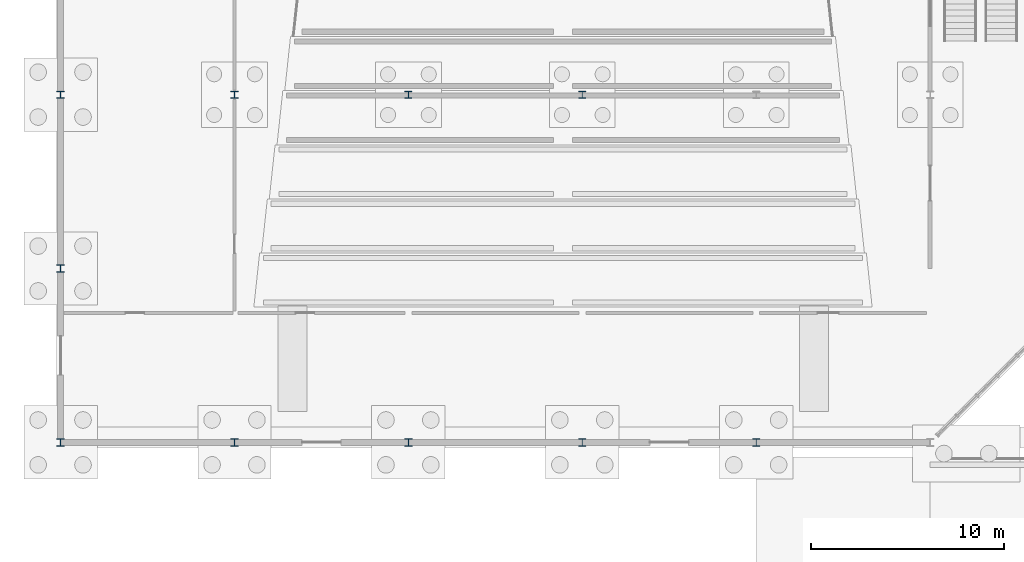
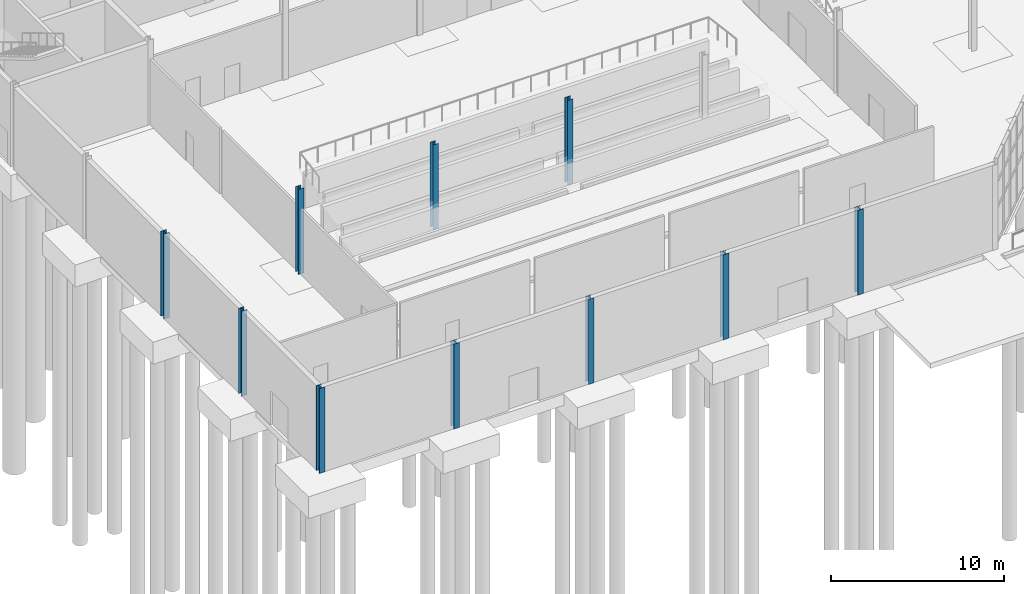
# One storey, part 9 of 131: 10 columns.
"""IFC4 building model written with IfcOpenShell, lengths in metres."""

from ifc_helpers import new_model, si_unit, direction, frame, origin, origin_2d, place, context, subcontext, project, spatial, i_section, extrude, material, material_profile, profile_set, type_object, element, save


model = new_model("IFC4")

# Units and contexts
model_context = context("Model", 3, precision=1e-05, world=origin(), true_north=direction((0.0, 1.0)))
body_context = subcontext(model_context, "Body", "Model", "MODEL_VIEW")
ifc_project = project(units=[si_unit("LENGTHUNIT", "METRE"), si_unit("AREAUNIT", "SQUARE_METRE"), si_unit("VOLUMEUNIT", "CUBIC_METRE"), si_unit("PLANEANGLEUNIT", "RADIAN"), si_unit("MASSUNIT", "GRAM", prefix="KILO")], contexts=[model_context])

# Site, building, storey
site_placement = place(None, origin())
site = spatial("IfcSite", under=ifc_project, at=site_placement, CompositionType="ELEMENT")
building_placement = place(site_placement, origin())
building = spatial("IfcBuilding", under=site, at=building_placement, Name="Cazmaro Siding Exhibition Halls", CompositionType="ELEMENT")
storey_placement = place(building_placement, origin())
storey = spatial("IfcBuildingStorey", under=building, at=storey_placement, Name="L00", CompositionType="ELEMENT", Elevation=0.0)

# Columns
ifc_material_1 = material(Name="Steel ASTM A992 Grade 50", Category="steel")
ifc_material_profile_1 = material_profile(ifc_material_1, i_section(OverallWidth=0.373046875, OverallDepth=0.373046875, WebThickness=0.01611328125, FlangeThickness=0.02587890625, at=origin_2d()), Name="W14X132")
ifc_profile_set_1 = profile_set([ifc_material_profile_1], Name="Steel ASTM A992 Grade 50")
column_type_1 = type_object("IfcColumnType", Name="C-04", PredefinedType="COLUMN", material=ifc_profile_set_1)
for number, where, z_axis, x_axis, name in (
    (1, (0.0, 9.0, 0.0), (0.0, 0.0, 1.0), (1.0, 0.0, 0.0), "Column C-04 COL-0793"),
    (2, (9.0, 9.0, 0.0), (0.0, 0.0, 1.0), (1.0, 0.0, 0.0), "Column C-04 COL-0796"),
    (3, (18.0, 9.0, 0.0), (0.0, 0.0, 1.0), (1.0, 0.0, 0.0), "Column C-04 COL-0799"),
    (4, (27.0, 9.0, 0.0), (0.0, 0.0, 1.0), (1.0, 0.0, 0.0), "Column C-04 COL-0802"),
    (5, (36.0, 9.0, 0.0), (0.0, 0.0, 1.0), (1.0, 0.0, 0.0), "Column C-04 COL-0805"),
    (6, (0.0, 27.0, 0.0), (0.0, 0.0, 1.0), (1.0, 0.0, 0.0), "Column C-04 COL-0853"),
    (7, (0.0, 18.0, 0.0), (0.0, 0.0, 1.0), (1.0, 0.0, 0.0), "Column C-04 COL-0856"),
):
    element("IfcColumn", number, at=place(storey_placement, frame(where, z_axis=z_axis, x_axis=x_axis)), inside=storey, type_object=column_type_1, Name=name, PredefinedType="COLUMN", context=body_context, shape_type="SweptSolid", body=[
        extrude(i_section(OverallWidth=0.373046875, OverallDepth=0.373046875, WebThickness=0.01611328125, FlangeThickness=0.02587890625, at=origin_2d()), origin(), (0.0, 0.0, 1.0), 6.0),
    ])
ifc_material_2 = material(Name="Steel ASTM A992 Grade 50", Category="steel")
ifc_material_profile_2 = material_profile(ifc_material_2, i_section(OverallWidth=0.367919921875, OverallDepth=0.35595703125, WebThickness=0.010986328125, FlangeThickness=0.01806640625, at=origin_2d()), Name="W14X90")
ifc_profile_set_2 = profile_set([ifc_material_profile_2], Name="Steel ASTM A992 Grade 50")
column_type_2 = type_object("IfcColumnType", Name="C-05", PredefinedType="COLUMN", material=ifc_profile_set_2)
for number, where, z_axis, x_axis, name in (
    (8, (9.0, 27.0, 0.0), (0.0, 0.0, 1.0), (1.0, 0.0, 0.0), "Column C-05 COL-0859"),
    (9, (18.0, 27.0, 0.0), (0.0, 0.0, 1.0), (1.0, 0.0, 0.0), "Column C-05 COL-0863"),
    (10, (27.0, 27.0, 0.0), (0.0, 0.0, 1.0), (1.0, 0.0, 0.0), "Column C-05 COL-0867"),
):
    element("IfcColumn", number, at=place(storey_placement, frame(where, z_axis=z_axis, x_axis=x_axis)), inside=storey, type_object=column_type_2, Name=name, PredefinedType="COLUMN", context=body_context, shape_type="SweptSolid", body=[
        extrude(i_section(OverallWidth=0.367919921875, OverallDepth=0.35595703125, WebThickness=0.010986328125, FlangeThickness=0.01806640625, at=origin_2d()), origin(), (0.0, 0.0, 1.0), 6.0),
    ])

save(model, "model.ifc")
